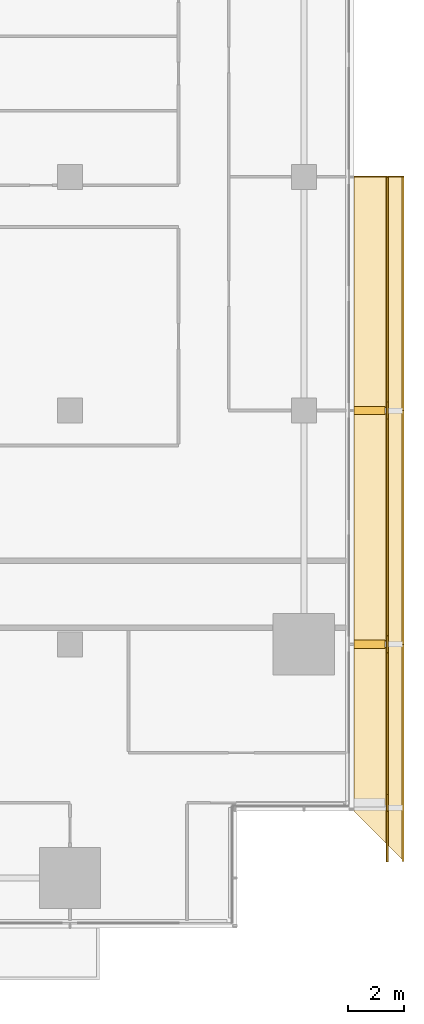
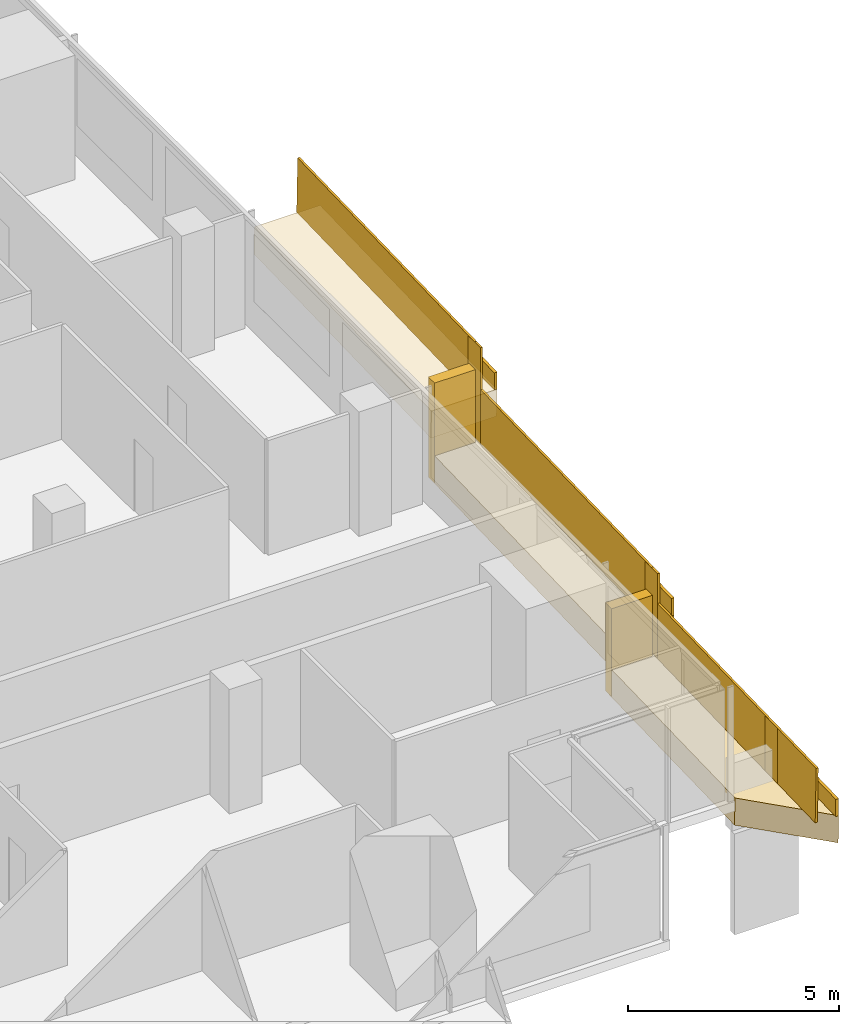
# One storey, part 28 of 28: 8 coverings, 6 railings.
"""IFC4 building model written with IfcOpenShell, lengths in metres."""

from ifc_helpers import new_model, si_unit, direction, frame, origin, origin_2d, place, context, subcontext, project, spatial, polyline, rectangle, outline, extrude, material, layer, layer_set, type_object, element, save


model = new_model("IFC4")

# Units and contexts
model_context = context("Model", 3, precision=1e-05, world=origin(), true_north=direction((0.0, 1.0)))
body_context = subcontext(model_context, "Body", "Model", "MODEL_VIEW")
ifc_project = project(units=[si_unit("LENGTHUNIT", "METRE"), si_unit("AREAUNIT", "SQUARE_METRE"), si_unit("VOLUMEUNIT", "CUBIC_METRE"), si_unit("PLANEANGLEUNIT", "RADIAN"), si_unit("MASSUNIT", "GRAM", prefix="KILO")], contexts=[model_context])

# Site, building, storey
site_placement = place(None, origin())
site = spatial("IfcSite", under=ifc_project, at=site_placement, CompositionType="ELEMENT")
building_placement = place(site_placement, origin())
building = spatial("IfcBuilding", under=site, at=building_placement, Name="Saffron Gate Tower", CompositionType="ELEMENT")
storey_placement = place(building_placement, frame((0.0, 0.0, 51.60009765625)))
storey = spatial("IfcBuildingStorey", under=building, at=storey_placement, Name="L11", CompositionType="ELEMENT", Elevation=51.60009765625)

# Coverings
ifc_material = material(Name="Timber, thermally modified ash", Category="wood")
ifc_layer_1 = layer(ifc_material, 0.800048828125)
ifc_layer_set_1 = layer_set([ifc_layer_1], Name="LD1 ledge timber")
covering_type_1 = type_object("IfcCoveringType", Name="LD1 ledge timber", PredefinedType="CLADDING", material=ifc_layer_set_1)
covering_1_placement = place(storey_placement, frame((127.199951171875, 34.199951171875, 0.09912109375), z_axis=(3.5027307e-05, -0.028807146299, 0.99958498743), x_axis=(3.68e-10, 0.999584988043, 0.028807146316)))
element("IfcCovering", 1, at=covering_1_placement, inside=storey, type_object=covering_type_1, Name="LEDGE", PredefinedType="CLADDING", context=body_context, shape_type="SweptSolid", body=[
    extrude(outline(polyline([(0.0, 0.0), (6.0024892885105, 2.541098841762901e-21), (6.002489289172793, -1.8000488270207489), (-1.800799813548424, -1.8000488321003227), (0.0, 0.0)])), origin(), (0.0, 0.0, -1.0), 0.800048828125),
])
covering_2_placement = place(storey_placement, frame((127.199951171875, 40.199951171875, 1.12939453125), z_axis=(0.0, -0.028790339263, 0.999585472266), x_axis=(0.0, 0.999585472266, 0.028790339263)))
element("IfcCovering", 2, at=covering_2_placement, inside=storey, type_object=covering_type_1, Name="LEDGE", PredefinedType="CLADDING", context=body_context, shape_type="SweptSolid", body=[
    extrude(outline(polyline([(0.0, 0.0), (8.403630022085892, 0.0), (8.403630022085892, -1.800048828125), (0.0, -1.800048828125), (0.0, 0.0)])), origin(), (0.0, 0.0, -1.0), 0.800048828125),
])
covering_3_placement = place(storey_placement, frame((127.199951171875, 48.60009765625, 2.57177734375), z_axis=(0.0, -0.028791175352, 0.999585448184), x_axis=(0.0, 0.999585448184, 0.028791175352)))
element("IfcCovering", 3, at=covering_3_placement, inside=storey, type_object=covering_type_1, Name="LEDGE", PredefinedType="CLADDING", context=body_context, shape_type="SweptSolid", body=[
    extrude(outline(polyline([(0.0, 0.0), (8.403385982666892, 0.0), (8.403385982666892, -1.800048828125), (0.0, -1.800048828125), (0.0, 0.0)])), origin(), (0.0, 0.0, -1.0), 0.800048828125),
])
ifc_layer_2 = layer(ifc_material, 0.080078125)
ifc_layer_set_2 = layer_set([ifc_layer_2], Name="LD2 ledge planter trough")
covering_type_2 = type_object("IfcCoveringType", Name="LD2 ledge planter trough", PredefinedType="CLADDING", material=ifc_layer_set_2)
covering_4_placement = place(storey_placement, frame((129.0, 32.39990234375, 0.047119140625), z_axis=(1.0, 0.0, 0.0), x_axis=(0.0, 0.999584755248, 0.028815222999)))
element("IfcCovering", 4, at=covering_4_placement, inside=storey, type_object=covering_type_2, Name="LEDGE planter trough", PredefinedType="CLADDING", context=body_context, shape_type="SweptSolid", body=[
    extrude(outline(polyline([(0.0, 0.0), (7.803289102975944, 0.0), (7.8176967144752565, 0.4997923776238338), (0.014407611499312996, 0.4997923776238338), (0.0, 0.0)])), origin(), (0.0, 0.0, -1.0), 0.080078125),
])
covering_5_placement = place(storey_placement, frame((129.0, 40.199951171875, 1.12939453125), z_axis=(1.0, 0.0, 0.0), x_axis=(0.0, 0.999585472266, 0.028790339263)))
element("IfcCovering", 5, at=covering_5_placement, inside=storey, type_object=covering_type_2, Name="LEDGE planter trough", PredefinedType="CLADDING", context=body_context, shape_type="SweptSolid", body=[
    extrude(outline(polyline([(0.0, 0.0), (8.403630022085892, 0.0), (8.418025191717298, 0.4997927361329725), (0.014395169631405694, 0.4997927361329725), (0.0, 0.0)])), origin(), (0.0, 0.0, -1.0), 0.080078125),
])
covering_6_placement = place(storey_placement, frame((129.0, 48.60009765625, 2.57177734375), z_axis=(1.0, 0.0, 0.0), x_axis=(0.0, 0.999585448184, 0.028791175352)))
element("IfcCovering", 6, at=covering_6_placement, inside=storey, type_object=covering_type_2, Name="LEDGE planter trough", PredefinedType="CLADDING", context=body_context, shape_type="SweptSolid", body=[
    extrude(outline(polyline([(0.0, 0.0), (8.403385982666892, 0.0), (8.417781570342743, 0.49979272409216496), (0.014395587675851172, 0.4997927240921649), (0.0, 0.0)])), origin(), (0.0, 0.0, -1.0), 0.080078125),
])
ifc_layer_3 = layer(ifc_material, 0.300048828125)
ifc_layer_set_3 = layer_set([ifc_layer_3], Name="LD3 ledge riser fin")
covering_type_3 = type_object("IfcCoveringType", Name="LD3 ledge riser fin", PredefinedType="CLADDING", material=ifc_layer_set_3)
covering_7_placement = place(storey_placement, frame((127.760009765625, 40.199951171875, -0.52783203125), z_axis=(0.0, 0.0, 1.0), x_axis=(0.0, 1.0, 0.0)))
element("IfcCovering", 7, at=covering_7_placement, inside=storey, type_object=covering_type_3, Name="LEDGE riser fin", PredefinedType="CLADDING", context=body_context, shape_type="SweptSolid", body=[
    extrude(rectangle(XDim=0.300048828125, YDim=1.1201171875, at=origin_2d()), origin(), (0.0, 0.0, 1.0), 2.557373046875),
])
covering_8_placement = place(storey_placement, frame((127.760009765625, 48.60009765625, 0.5712890625), z_axis=(0.0, 0.0, 1.0), x_axis=(0.0, 1.0, 0.0)))
element("IfcCovering", 8, at=covering_8_placement, inside=storey, type_object=covering_type_3, Name="LEDGE riser fin", PredefinedType="CLADDING", context=body_context, shape_type="SweptSolid", body=[
    extrude(rectangle(XDim=0.300048828125, YDim=1.1201171875, at=origin_2d()), origin(), (0.0, 0.0, 1.0), 2.900390625),
])

# Railings
railing_type = type_object("IfcRailingType", Name="LG1 ledge balustrade", PredefinedType="BALUSTRADE", material=ifc_material)
railing_1_placement = place(storey_placement, frame((128.39990234375, 32.39990234375, 0.047119140625)))
element("IfcRailing", 9, at=railing_1_placement, inside=storey, type_object=railing_type, Name="LEDGE BALUSTRADE", PredefinedType="BALUSTRADE", context=body_context, shape_type="SweptSolid", body=[
    extrude(rectangle(XDim=0.06005859375, YDim=1.60009765625, at=origin_2d()), frame((0.0, 0.0, 0.800048828125), z_axis=(0.0, 0.999584755248, 0.028815222999), x_axis=(-1.0, 0.0, 0.0)), (0.0, 0.0, 1.0), 7.80322265625),
])
railing_2_placement = place(storey_placement, frame((128.39990234375, 34.199951171875, -0.158203125)))
element("IfcRailing", 10, at=railing_2_placement, inside=storey, type_object=railing_type, Name="LEDGE BALUSTRADE", PredefinedType="BALUSTRADE", context=body_context, shape_type="SweptSolid", body=[
    extrude(rectangle(XDim=0.06005859375, YDim=1.857177734375, at=origin_2d()), frame((0.0, 0.0, 0.9287109375), z_axis=(0.0, 1.0, 0.0), x_axis=(-1.0, 0.0, 0.0)), (0.0, 0.0, 1.0), 0.60009765625),
])
railing_3_placement = place(storey_placement, frame((128.39990234375, 40.199951171875, 1.12939453125)))
element("IfcRailing", 11, at=railing_3_placement, inside=storey, type_object=railing_type, Name="LEDGE BALUSTRADE", PredefinedType="BALUSTRADE", context=body_context, shape_type="SweptSolid", body=[
    extrude(rectangle(XDim=0.06005859375, YDim=1.60009765625, at=origin_2d()), frame((0.0, 0.0, 0.800048828125), z_axis=(0.0, 0.999585472266, 0.028790339263), x_axis=(-1.0, 0.0, 0.0)), (0.0, 0.0, 1.0), 8.403564453125),
])
railing_4_placement = place(storey_placement, frame((128.39990234375, 39.89990234375, 0.27197265625)))
element("IfcRailing", 12, at=railing_4_placement, inside=storey, type_object=railing_type, Name="LEDGE BALUSTRADE", PredefinedType="BALUSTRADE", context=body_context, shape_type="SweptSolid", body=[
    extrude(rectangle(XDim=0.06005859375, YDim=2.45751953125, at=origin_2d()), frame((0.0, 0.0, 1.228759765625), z_axis=(0.0, 1.0, 0.0), x_axis=(-1.0, 0.0, 0.0)), (0.0, 0.0, 1.0), 0.60009765625),
])
railing_5_placement = place(storey_placement, frame((128.39990234375, 48.60009765625, 2.57177734375)))
element("IfcRailing", 13, at=railing_5_placement, inside=storey, type_object=railing_type, Name="LEDGE BALUSTRADE", PredefinedType="BALUSTRADE", context=body_context, shape_type="SweptSolid", body=[
    extrude(rectangle(XDim=0.06005859375, YDim=1.60009765625, at=origin_2d()), frame((0.0, 0.0, 0.800048828125), z_axis=(0.0, 0.999585448184, 0.028791175352), x_axis=(-1.0, 0.0, 0.0)), (0.0, 0.0, 1.0), 8.4033203125),
])
railing_6_placement = place(storey_placement, frame((128.39990234375, 48.300048828125, 1.371337890625)))
element("IfcRailing", 14, at=railing_6_placement, inside=storey, type_object=railing_type, Name="LEDGE BALUSTRADE", PredefinedType="BALUSTRADE", context=body_context, shape_type="SweptSolid", body=[
    extrude(rectangle(XDim=0.06005859375, YDim=2.80029296875, at=origin_2d()), frame((0.0, 0.0, 1.400146484375), z_axis=(0.0, 1.0, 0.0), x_axis=(-1.0, 0.0, 0.0)), (0.0, 0.0, 1.0), 0.599853515625),
])

save(model, "model.ifc")
